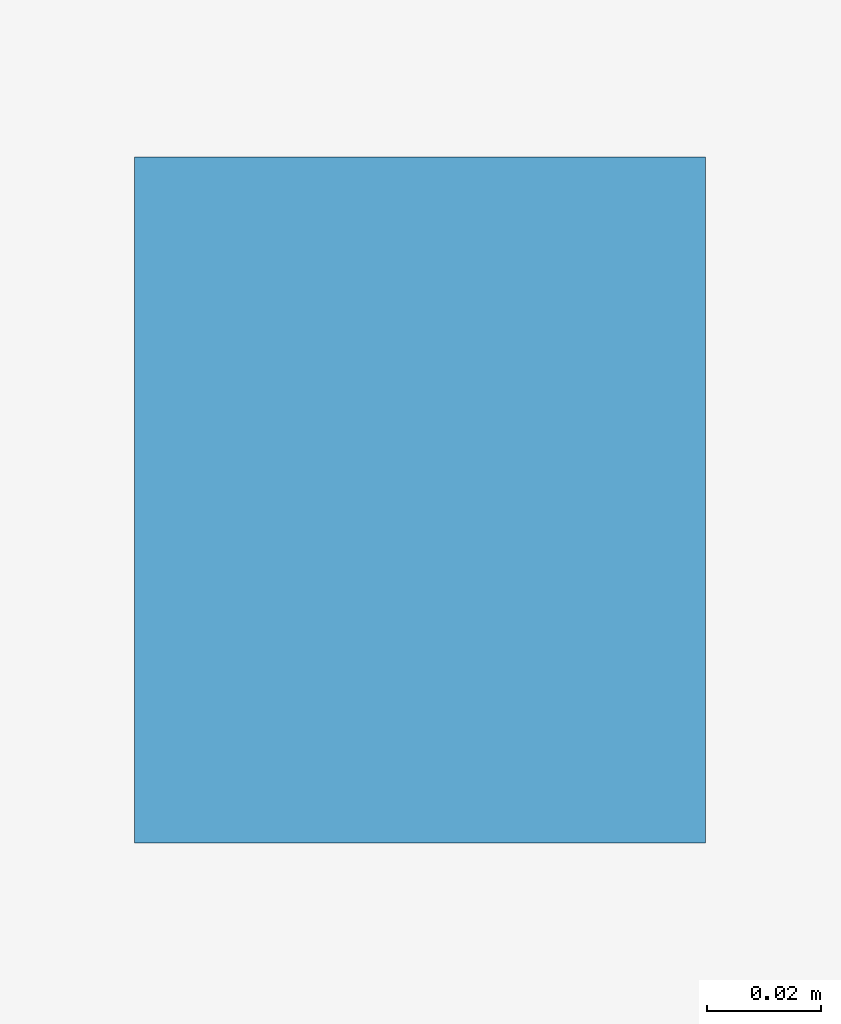
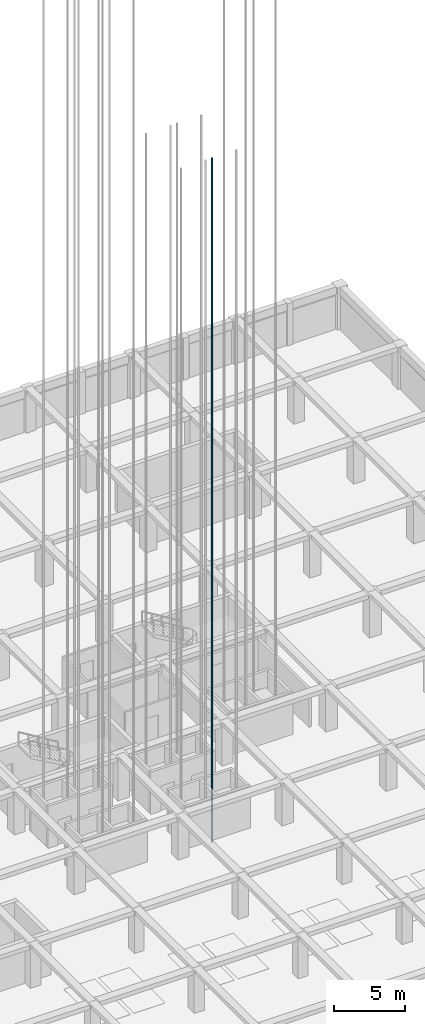
# One storey, part 35 of 47: 1 discrete accessory.
"""IFC4 building model written with IfcOpenShell, lengths in metres."""

from ifc_helpers import new_model, si_unit, direction, frame, origin, origin_2d, place, context, subcontext, project, spatial, rectangle, extrude, material, layer, layer_set, type_object, element, save


model = new_model("IFC4")

# Units and contexts
model_context = context("Model", 3, precision=1e-05, world=origin(), true_north=direction((0.0, 1.0)))
body_context = subcontext(model_context, "Body", "Model", "MODEL_VIEW")
ifc_project = project(units=[si_unit("LENGTHUNIT", "METRE"), si_unit("AREAUNIT", "SQUARE_METRE"), si_unit("VOLUMEUNIT", "CUBIC_METRE"), si_unit("PLANEANGLEUNIT", "RADIAN"), si_unit("MASSUNIT", "GRAM", prefix="KILO")], contexts=[model_context])

# Site, building, storey
site_placement = place(None, origin())
site = spatial("IfcSite", under=ifc_project, at=site_placement, CompositionType="ELEMENT")
building_placement = place(site_placement, origin())
building = spatial("IfcBuilding", under=site, at=building_placement, Name="Almacenes y Pasaje Nevantli", CompositionType="ELEMENT")
storey_placement = place(building_placement, frame((0.0, 0.0, -8.10009765625)))
storey = spatial("IfcBuildingStorey", under=building, at=storey_placement, Name="B02", CompositionType="ELEMENT", Elevation=-8.10009765625)

# Discrete accessory
ifc_material = material(Name="Steel ASTM A36", Category="steel")
ifc_layer = layer(ifc_material, 0.1201171875)
ifc_layer_set = layer_set([ifc_layer], Name="Steel ASTM A36")
discrete_accessory_type = type_object("IfcDiscreteAccessoryType", Name="ACC-LIFT-RAIL", PredefinedType="BRACKET", material=ifc_layer_set)
discrete_accessory_placement = place(storey_placement, frame((129.570068359375, 68.949951171875, -1.199951171875), z_axis=(0.0, 0.0, 1.0), x_axis=(1.0, 0.0, 0.0)))
element("IfcDiscreteAccessory", 1, at=discrete_accessory_placement, inside=storey, type_object=discrete_accessory_type, Name="Elevator Steel T-Section Guide Rail ELV-P02-W", PredefinedType="BRACKET", context=body_context, shape_type="SweptSolid", body=[
    extrude(rectangle(XDim=0.10009765625, YDim=0.1201171875, at=origin_2d()), origin(), (0.0, 0.0, 1.0), 58.5),
])

save(model, "model.ifc")
